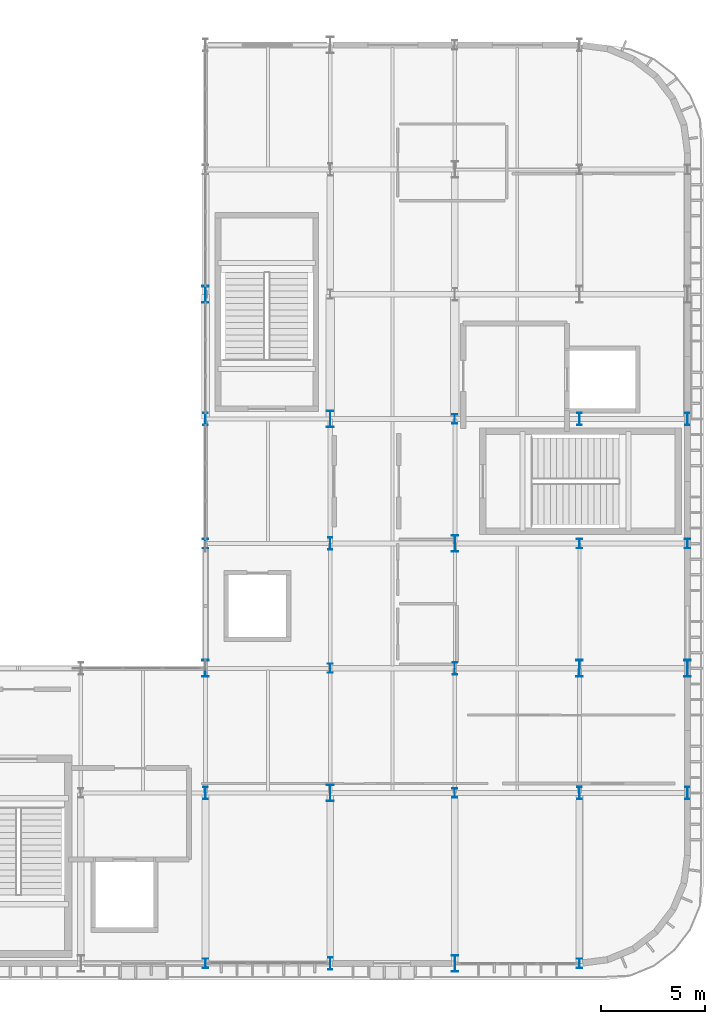
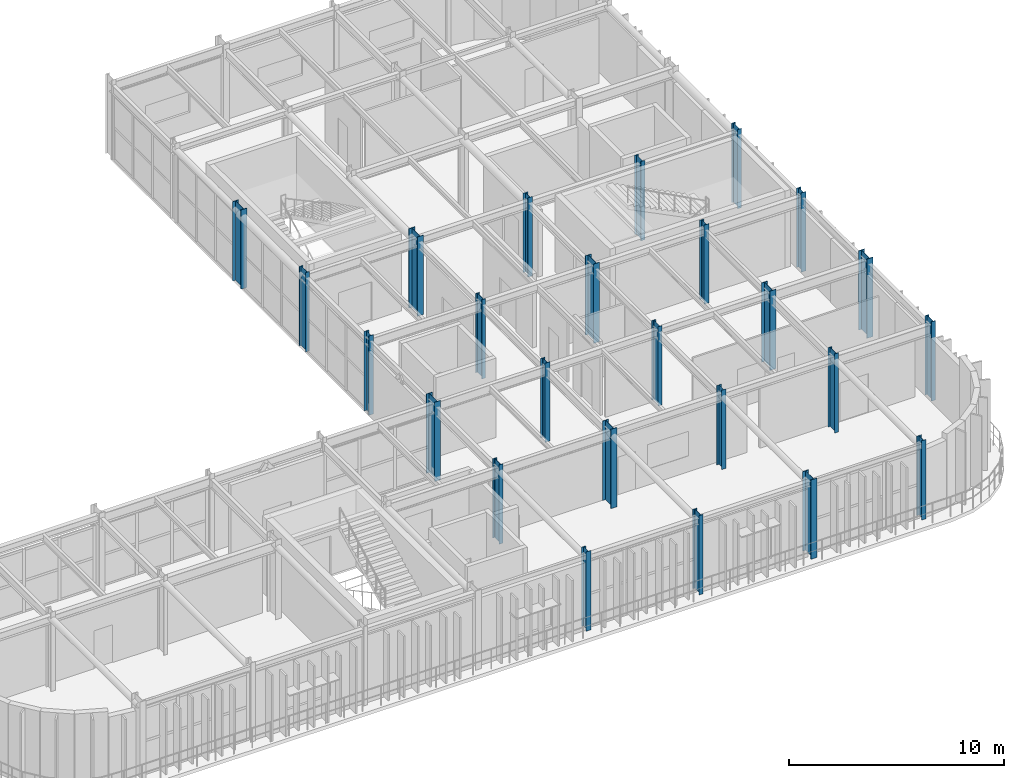
# One storey, part 18 of 84: 25 columns.
"""IFC4 building model written with IfcOpenShell, lengths in metres."""

from ifc_helpers import new_model, si_unit, direction, frame, origin, origin_2d, place, context, subcontext, project, spatial, i_section, extrude, material, material_profile, profile_set, type_object, element, save


model = new_model("IFC4")

# Units and contexts
model_context = context("Model", 3, precision=1e-05, world=origin(), true_north=direction((0.0, 1.0)))
body_context = subcontext(model_context, "Body", "Model", "MODEL_VIEW")
ifc_project = project(units=[si_unit("LENGTHUNIT", "METRE"), si_unit("AREAUNIT", "SQUARE_METRE"), si_unit("VOLUMEUNIT", "CUBIC_METRE"), si_unit("PLANEANGLEUNIT", "RADIAN"), si_unit("MASSUNIT", "GRAM", prefix="KILO")], contexts=[model_context])

# Site, building, storey
site_placement = place(None, origin())
site = spatial("IfcSite", under=ifc_project, at=site_placement, CompositionType="ELEMENT")
building_placement = place(site_placement, origin())
building = spatial("IfcBuilding", under=site, at=building_placement, Name="Varnakota Square Police Headquarters", CompositionType="ELEMENT")
storey_placement = place(building_placement, frame((0.0, 0.0, 13.5)))
storey = spatial("IfcBuildingStorey", under=building, at=storey_placement, Name="L03", CompositionType="ELEMENT", Elevation=13.5)

# Columns
ifc_material = material(Name="Steel IS 2062 Grade 350", Category="steel")
ifc_material_profile_1 = material_profile(ifc_material, i_section(OverallWidth=0.320068359375, OverallDepth=0.800048828125, WebThickness=0.01611328125, FlangeThickness=0.028076171875, at=origin_2d()), Name="BPG 800x320")
ifc_profile_set_1 = profile_set([ifc_material_profile_1], Name="Steel IS 2062 Grade 350")
column_type_1 = type_object("IfcColumnType", Name="COL-BPG800", PredefinedType="COLUMN", material=ifc_profile_set_1)
for number, where, z_axis, x_axis, name in (
    (1, (138.0, 15.0, 0.0), (0.0, 0.0, 1.0), (1.0, 0.0, 0.0), "Column X1380-Y0150 L03"),
    (2, (138.0, 33.0, 0.0), (0.0, 0.0, 1.0), (1.0, 0.0, 0.0), "Column X1380-Y0330 L03"),
    (3, (144.0, 9.0, 0.0), (0.0, 0.0, 1.0), (1.0, 0.0, 0.0), "Column X1440-Y0090 L03"),
    (4, (144.0, 27.0, 0.0), (0.0, 0.0, 1.0), (1.0, 0.0, 0.0), "Column X1440-Y0270 L03"),
    (5, (150.0, 0.800048828125, 0.0), (0.0, 0.0, 1.0), (1.0, 0.0, 0.0), "Column X1500-Y0008 L03"),
    (6, (150.0, 21.0, 0.0), (0.0, 0.0, 1.0), (1.0, 0.0, 0.0), "Column X1500-Y0210 L03"),
    (7, (156.0, 15.0, 0.0), (0.0, 0.0, 1.0), (1.0, 0.0, 0.0), "Column X1560-Y0150 L03"),
    (8, (161.199951171875, 15.0, 0.0), (0.0, 0.0, 1.0), (1.0, 0.0, 0.0), "Column X1612-Y0150 L03"),
):
    element("IfcColumn", number, at=place(storey_placement, frame(where, z_axis=z_axis, x_axis=x_axis)), inside=storey, type_object=column_type_1, Name=name, PredefinedType="COLUMN", context=body_context, shape_type="SweptSolid", body=[
        extrude(i_section(OverallWidth=0.320068359375, OverallDepth=0.800048828125, WebThickness=0.01611328125, FlangeThickness=0.028076171875, at=origin_2d()), origin(), (0.0, 0.0, 1.0), 4.5),
    ])
ifc_material_profile_2 = material_profile(ifc_material, i_section(OverallWidth=0.25, OverallDepth=0.449951171875, WebThickness=0.01123046875, FlangeThickness=0.013671875, FilletRadius=0.014892578125, at=origin_2d()), Name="ISHB 450")
ifc_profile_set_2 = profile_set([ifc_material_profile_2], Name="Steel IS 2062 Grade 350")
column_type_2 = type_object("IfcColumnType", Name="COL-ISHB450", PredefinedType="COLUMN", material=ifc_profile_set_2)
for number, where, z_axis, x_axis, name in (
    (9, (138.0, 0.800048828125, 0.0), (0.0, 0.0, 1.0), (1.0, 0.0, 0.0), "Column X1380-Y0008 L03"),
    (10, (138.0, 21.0, 0.0), (0.0, 0.0, 1.0), (1.0, 0.0, 0.0), "Column X1380-Y0210 L03"),
    (11, (144.0, 15.0, 0.0), (0.0, 0.0, 1.0), (1.0, 0.0, 0.0), "Column X1440-Y0150 L03"),
    (12, (150.0, 9.0, 0.0), (0.0, 0.0, 1.0), (1.0, 0.0, 0.0), "Column X1500-Y0090 L03"),
    (13, (150.0, 27.0, 0.0), (0.0, 0.0, 1.0), (1.0, 0.0, 0.0), "Column X1500-Y0270 L03"),
    (14, (156.0, 0.800048828125, 0.0), (0.0, 0.0, 1.0), (1.0, 0.0, 0.0), "Column X1560-Y0008 L03"),
    (15, (156.0, 21.0, 0.0), (0.0, 0.0, 1.0), (1.0, 0.0, 0.0), "Column X1560-Y0210 L03"),
    (16, (161.199951171875, 21.0, 0.0), (0.0, 0.0, 1.0), (1.0, 0.0, 0.0), "Column X1612-Y0210 L03"),
):
    element("IfcColumn", number, at=place(storey_placement, frame(where, z_axis=z_axis, x_axis=x_axis)), inside=storey, type_object=column_type_2, Name=name, PredefinedType="COLUMN", context=body_context, shape_type="SweptSolid", body=[
        extrude(i_section(OverallWidth=0.25, OverallDepth=0.449951171875, WebThickness=0.01123046875, FlangeThickness=0.013671875, FilletRadius=0.014892578125, at=origin_2d()), origin(), (0.0, 0.0, 1.0), 4.5),
    ])
ifc_material_profile_3 = material_profile(ifc_material, i_section(OverallWidth=0.2099609375, OverallDepth=0.60009765625, WebThickness=0.011962890625, FlangeThickness=0.020751953125, FilletRadius=0.02001953125, at=origin_2d()), Name="ISMB 600")
ifc_profile_set_3 = profile_set([ifc_material_profile_3], Name="Steel IS 2062 Grade 350")
column_type_3 = type_object("IfcColumnType", Name="COL-ISMB600", PredefinedType="COLUMN", material=ifc_profile_set_3)
for number, where, z_axis, x_axis, name in (
    (17, (138.0, 9.0, 0.0), (0.0, 0.0, 1.0), (1.0, 0.0, 0.0), "Column X1380-Y0090 L03"),
    (18, (138.0, 27.0, 0.0), (0.0, 0.0, 1.0), (1.0, 0.0, 0.0), "Column X1380-Y0270 L03"),
    (19, (144.0, 0.800048828125, 0.0), (0.0, 0.0, 1.0), (1.0, 0.0, 0.0), "Column X1440-Y0008 L03"),
    (20, (144.0, 21.0, 0.0), (0.0, 0.0, 1.0), (1.0, 0.0, 0.0), "Column X1440-Y0210 L03"),
    (21, (150.0, 15.0, 0.0), (0.0, 0.0, 1.0), (1.0, 0.0, 0.0), "Column X1500-Y0150 L03"),
    (22, (156.0, 9.0, 0.0), (0.0, 0.0, 1.0), (1.0, 0.0, 0.0), "Column X1560-Y0090 L03"),
    (23, (156.0, 27.0, 0.0), (0.0, 0.0, 1.0), (1.0, 0.0, 0.0), "Column X1560-Y0270 L03"),
    (24, (161.199951171875, 9.0, 0.0), (0.0, 0.0, 1.0), (1.0, 0.0, 0.0), "Column X1612-Y0090 L03"),
    (25, (161.199951171875, 27.0, 0.0), (0.0, 0.0, 1.0), (1.0, 0.0, 0.0), "Column X1612-Y0270 L03"),
):
    element("IfcColumn", number, at=place(storey_placement, frame(where, z_axis=z_axis, x_axis=x_axis)), inside=storey, type_object=column_type_3, Name=name, PredefinedType="COLUMN", context=body_context, shape_type="SweptSolid", body=[
        extrude(i_section(OverallWidth=0.2099609375, OverallDepth=0.60009765625, WebThickness=0.011962890625, FlangeThickness=0.020751953125, FilletRadius=0.02001953125, at=origin_2d()), origin(), (0.0, 0.0, 1.0), 4.5),
    ])

save(model, "model.ifc")
